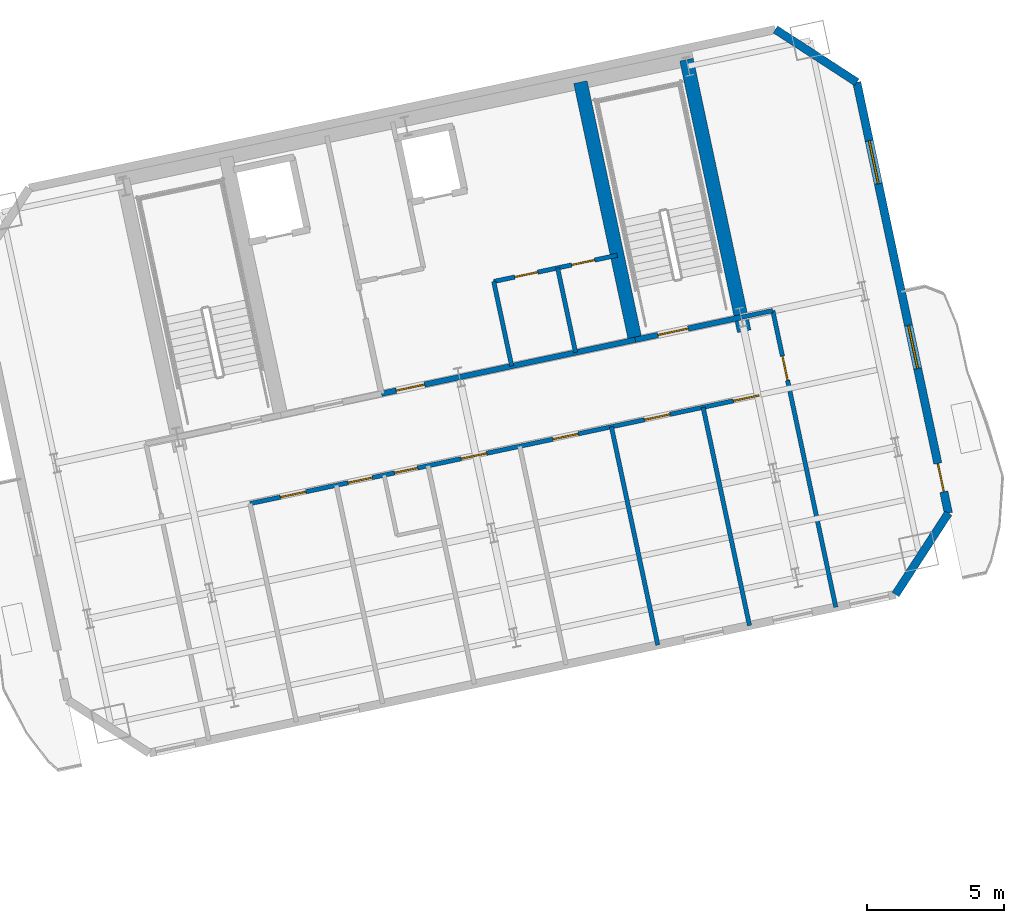
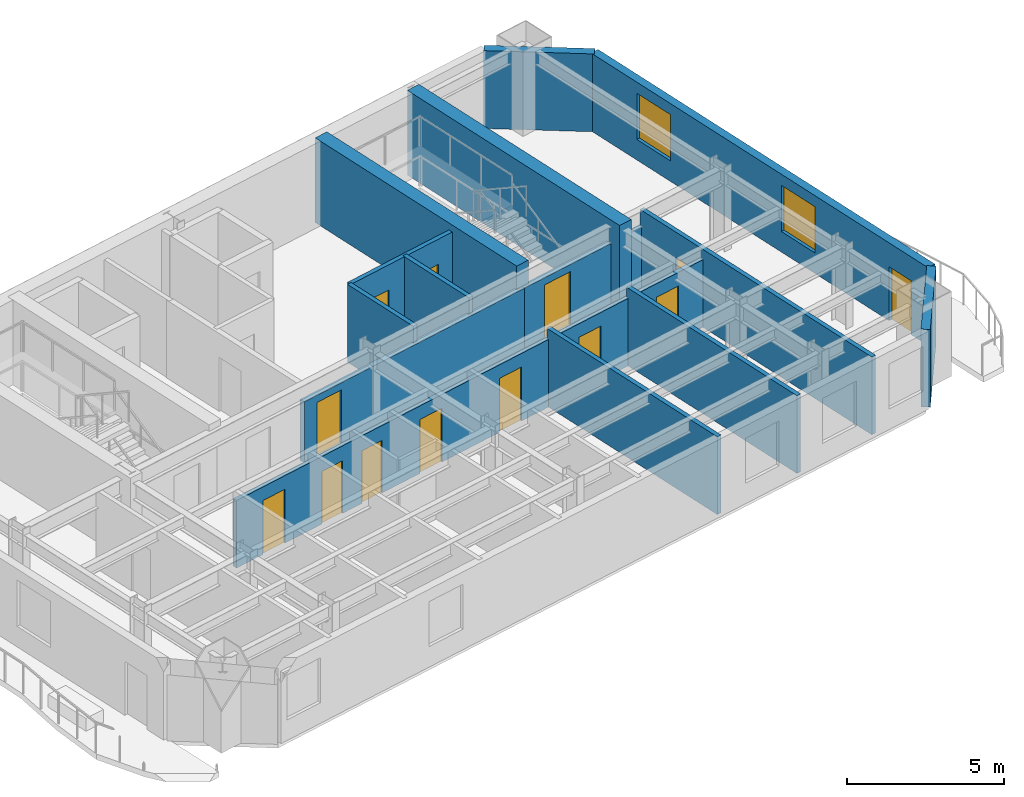
# One storey, part 8 of 13: 15 walls, 13 doors, 2 windows, 15 openings.
"""IFC4 building model written with IfcOpenShell, lengths in metres."""

from ifc_helpers import new_model, si_unit, direction, frame, frame_2d, origin, place, context, subcontext, project, spatial, rectangle, extrude, material, layer, layer_set, type_object, element, fill, save


model = new_model("IFC4")

# Units and contexts
model_context = context("Model", 3, precision=1e-05, world=origin(), true_north=direction((0.0, 1.0)))
body_context = subcontext(model_context, "Body", "Model", "MODEL_VIEW")
ifc_project = project(units=[si_unit("LENGTHUNIT", "METRE"), si_unit("AREAUNIT", "SQUARE_METRE"), si_unit("VOLUMEUNIT", "CUBIC_METRE"), si_unit("PLANEANGLEUNIT", "RADIAN"), si_unit("MASSUNIT", "GRAM", prefix="KILO")], contexts=[model_context])

# Site, building, storey
site_placement = place(None, origin())
site = spatial("IfcSite", under=ifc_project, at=site_placement, CompositionType="ELEMENT")
building_placement = place(site_placement, origin())
building = spatial("IfcBuilding", under=site, at=building_placement, Name="Haevon Station Towers", CompositionType="ELEMENT")
storey_placement = place(building_placement, frame((0.0, 0.0, 142.800048828125)))
storey = spatial("IfcBuildingStorey", under=building, at=storey_placement, Name="L38", CompositionType="ELEMENT", Elevation=142.800048828125)

# Wall, opening, door
ifc_material_1 = material(Name="Gypsum board on steel stud", Category="steel")
ifc_layer_1 = layer(ifc_material_1, 0.199951171875)
ifc_layer_set_1 = layer_set([ifc_layer_1], Name="Gypsum board on steel stud")
wall_type_1 = type_object("IfcWallType", Name="WL-COR200", PredefinedType="PARTITIONING", material=ifc_layer_set_1)
wall_1_placement = place(storey_placement, frame((115.4296875, 40.9873046875, 0.0), z_axis=(0.0, 0.0, 1.0), x_axis=(0.978146596989, 0.207916413008, 0.0)))
wall_1 = element("IfcWall", 1, at=wall_1_placement, inside=storey, type_object=wall_type_1, Name="WL-ST-ST4-L38", PredefinedType="PARTITIONING", context=body_context, shape_type="SweptSolid", body=[
    extrude(rectangle(XDim=3.9501953125, YDim=0.199951171875, at=frame_2d((1.97509765625, 0.0))), origin(), (0.0, 0.0, 1.0), 2.3798828125),
])
opening_1_placement = place(wall_1_placement, frame((0.85009765625, 0.0, 0.0)))
opening_1 = element("IfcOpeningElement", 2, at=opening_1_placement, cuts=wall_1, Name="Opening DR-ST-ST4-L38", PredefinedType="OPENING", context=body_context, shape_type="SweptSolid", body=[
    extrude(rectangle(XDim=1.1201171875, YDim=2.10009765625, at=frame_2d((0.56005859375, 1.050048828125))), frame((0.0, 0.10986328125, 0.0), z_axis=(0.0, -1.0, 0.0), x_axis=(1.0, 0.0, 0.0)), (0.0, 0.0, 1.0), 0.219970703125),
])
ifc_material_2 = material(Name="Engineered oak timber", Category="wood")
door_type_1 = type_object("IfcDoorType", Name="DR-ST-1120", OperationType="NOTDEFINED", PredefinedType="DOOR", material=ifc_material_2)
door_1_placement = place(opening_1_placement, origin())
door_1 = element("IfcDoor", 3, at=door_1_placement, inside=storey, type_object=door_type_1, Name="L38 Escape Stair ST4 Fire Door", OperationType="SINGLE_SWING_RIGHT", OverallHeight=2.10009765625, OverallWidth=1.1201171875, PredefinedType="DOOR", context=body_context, shape_type="SweptSolid", body=[
    extrude(rectangle(XDim=1.1201171875, YDim=2.10009765625, at=frame_2d((0.56005859375, 1.050048828125))), frame((0.0, 0.02490234375, 0.0), z_axis=(0.0, -1.0, 0.0), x_axis=(1.0, 0.0, 0.0)), (0.0, 0.0, 1.0), 0.050048828125),
])
fill(opening_1, door_1)

wall_2_placement = place(storey_placement, frame((106.186279296875, 39.0224609375, 0.0), z_axis=(0.0, 0.0, 1.0), x_axis=(0.978145519981, 0.20792147975, 0.0)))
wall_2 = element("IfcWall", 4, at=wall_2_placement, inside=storey, type_object=wall_type_1, Name="WL-T2CLB-L38", PredefinedType="PARTITIONING", context=body_context, shape_type="SweptSolid", body=[
    extrude(rectangle(XDim=9.449951171875, YDim=0.199951171875, at=frame_2d((4.72509765625, 0.0))), origin(), (0.0, 0.0, 1.0), 2.3798828125),
])
opening_2_placement = place(wall_2_placement, frame((0.550048828125, 0.0, 0.0)))
opening_2 = element("IfcOpeningElement", 5, at=opening_2_placement, cuts=wall_2, Name="Opening DR-T2CLB-L38-1", PredefinedType="OPENING", context=body_context, shape_type="SweptSolid", body=[
    extrude(rectangle(XDim=1.050048828125, YDim=2.10009765625, at=frame_2d((0.52490234375, 1.050048828125))), frame((0.0, 0.10986328125, 0.0), z_axis=(0.0, -1.0, 0.0), x_axis=(1.0, 0.0, 0.0)), (0.0, 0.0, 1.0), 0.219970703125),
])
door_type_2 = type_object("IfcDoorType", Name="DR-FD60-1050", OperationType="NOTDEFINED", PredefinedType="DOOR", material=ifc_material_2)
door_2_placement = place(opening_2_placement, origin())
door_2 = element("IfcDoor", 6, at=door_2_placement, inside=storey, type_object=door_type_2, Name="L38 Tower 2 Core Lift Lobby Door 1", OperationType="SINGLE_SWING_LEFT", OverallHeight=2.10009765625, OverallWidth=1.050048828125, PredefinedType="DOOR", context=body_context, shape_type="SweptSolid", body=[
    extrude(rectangle(XDim=1.050048828125, YDim=2.10009765625, at=frame_2d((0.52490234375, 1.050048828125))), frame((0.0, 0.02490234375, 0.0), z_axis=(0.0, -1.0, 0.0), x_axis=(1.0, 0.0, 0.0)), (0.0, 0.0, 1.0), 0.050048828125),
])
fill(opening_2, door_2)

# Walls
ifc_material_3 = material(Name="Concrete C60/75", Category="concrete")
ifc_layer_2 = layer(ifc_material_3, 0.5)
ifc_layer_set_2 = layer_set([ifc_layer_2], Name="Concrete C60/75")
wall_type_2 = type_object("IfcWallType", Name="WL-CR500", PredefinedType="SHEAR", material=ifc_layer_set_2)
wall_3_placement = place(storey_placement, frame((119.401611328125, 41.2998046875, 0.0), z_axis=(0.0, 0.0, 1.0), x_axis=(-0.207904342798, 0.978149162575, 0.0)))
element("IfcWall", 7, at=wall_3_placement, inside=storey, type_object=wall_type_2, Name="WL-T2CR-L38-E", PredefinedType="SHEAR", context=body_context, shape_type="SweptSolid", body=[
    extrude(rectangle(XDim=10.1201171875, YDim=0.5, at=frame_2d((5.06005859375, 0.0))), origin(), (0.0, 0.0, 1.0), 3.300048828125),
])
wall_4_placement = place(storey_placement, frame((115.4296875, 40.9873046875, 0.0), z_axis=(0.0, 0.0, 1.0), x_axis=(-0.207903162969, 0.978149413345, 0.0)))
element("IfcWall", 8, at=wall_4_placement, inside=storey, type_object=wall_type_2, Name="WL-T2CR-L38-M2", PredefinedType="SHEAR", context=body_context, shape_type="SweptSolid", body=[
    extrude(rectangle(XDim=9.599853515625, YDim=0.5, at=frame_2d((4.7998046875, 0.0))), origin(), (0.0, 0.0, 1.0), 3.300048828125),
])
ifc_material_4 = material(Name="Precast concrete C45/55", Category="concrete")
ifc_layer_3 = layer(ifc_material_4, 0.300048828125)
ifc_layer_set_3 = layer_set([ifc_layer_3], Name="Precast concrete C45/55")
wall_type_3 = type_object("IfcWallType", Name="WL-EXT-PIER300", PredefinedType="SOLIDWALL", material=ifc_layer_set_3)
wall_5_placement = place(storey_placement, frame((120.5400390625, 52.296875, 0.0), z_axis=(0.0, 0.0, 1.0), x_axis=(0.838672309694, -0.544636352948, 0.0)))
element("IfcWall", 9, at=wall_5_placement, inside=storey, type_object=wall_type_3, Name="WL-T2-L38-NEC", PredefinedType="SOLIDWALL", context=body_context, shape_type="SweptSolid", body=[
    extrude(rectangle(XDim=3.535400390625, YDim=0.300048828125, at=frame_2d((1.767578125, 0.0))), origin(), (0.0, 0.0, 1.0), 3.030029296875),
])

# Wall, openings, door, windows
wall_6_placement = place(storey_placement, frame((123.505126953125, 50.371337890625, 0.0), z_axis=(0.0, 0.0, 1.0), x_axis=(0.207922793235, -0.978145240776, 0.0)))
wall_6 = element("IfcWall", 10, at=wall_6_placement, inside=storey, type_object=wall_type_3, Name="WL-T2-L38-E", PredefinedType="SOLIDWALL", context=body_context, shape_type="SweptSolid", body=[
    extrude(rectangle(XDim=16.050048828125, YDim=0.300048828125, at=frame_2d((8.02490234375, 0.0))), origin(), (0.0, 0.0, 1.0), 3.030029296875),
])
opening_3_placement = place(wall_6_placement, frame((14.199951171875, 0.0, 0.0)))
opening_3 = element("IfcOpeningElement", 11, at=opening_3_placement, cuts=wall_6, Name="Opening DR-T2-SCAL-L38-E", PredefinedType="OPENING", context=body_context, shape_type="SweptSolid", body=[
    extrude(rectangle(XDim=1.050048828125, YDim=2.10009765625, at=frame_2d((0.52490234375, 1.050048828125))), frame((0.0, 0.159912109375, 0.0), z_axis=(0.0, -1.0, 0.0), x_axis=(1.0, 0.0, 0.0)), (0.0, 0.0, 1.0), 0.320068359375),
])
opening_4_placement = place(wall_6_placement, frame((2.1767578125, 0.0, 0.800048828125)))
opening_4 = element("IfcOpeningElement", 12, at=opening_4_placement, cuts=wall_6, Name="Opening WN-END160", PredefinedType="OPENING", context=body_context, shape_type="SweptSolid", body=[
    extrude(rectangle(XDim=1.60009765625, YDim=1.800048828125, at=frame_2d((0.800048828125, 0.89990234375))), frame((0.0, 0.159912109375, 0.0), z_axis=(0.0, -1.0, 0.0), x_axis=(1.0, 0.0, 0.0)), (0.0, 0.0, 1.0), 0.320068359375),
])
opening_5_placement = place(wall_6_placement, frame((9.060791015625, 0.0, 0.800048828125)))
opening_5 = element("IfcOpeningElement", 13, at=opening_5_placement, cuts=wall_6, Name="Opening WN-END160", PredefinedType="OPENING", context=body_context, shape_type="SweptSolid", body=[
    extrude(rectangle(XDim=1.60009765625, YDim=1.800048828125, at=frame_2d((0.800048828125, 0.89990234375))), frame((0.0, 0.159912109375, 0.0), z_axis=(0.0, -1.0, 0.0), x_axis=(1.0, 0.0, 0.0)), (0.0, 0.0, 1.0), 0.320068359375),
])
ifc_material_5 = material(Name="Thermally broken anodised aluminium and laminated safety glass", Category="aluminium")
door_type_3 = type_object("IfcDoorType", Name="DR-BALC-1050", OperationType="NOTDEFINED", PredefinedType="DOOR", material=ifc_material_5)
door_3_placement = place(opening_3_placement, origin())
door_3 = element("IfcDoor", 14, at=door_3_placement, inside=storey, type_object=door_type_3, Name="Tower 2 L38 East Scalloped Balcony Door", OperationType="SINGLE_SWING_LEFT", OverallHeight=2.10009765625, OverallWidth=1.050048828125, PredefinedType="DOOR", context=body_context, shape_type="SweptSolid", body=[
    extrude(rectangle(XDim=1.050048828125, YDim=2.10009765625, at=frame_2d((0.52490234375, 1.050048828125))), frame((0.0, 0.02490234375, 0.0), z_axis=(0.0, -1.0, 0.0), x_axis=(1.0, 0.0, 0.0)), (0.0, 0.0, 1.0), 0.050048828125),
])
fill(opening_3, door_3)
ifc_material_6 = material(Name="Low-E triple glazing in thermally broken aluminium", Category="aluminium")
window_type = type_object("IfcWindowType", Name="WN-END160", PartitioningType="SINGLE_PANEL", PredefinedType="WINDOW", material=ifc_material_6)
window_1_placement = place(opening_4_placement, origin())
window_1 = element("IfcWindow", 15, at=window_1_placement, inside=storey, type_object=window_type, Name="WN-T2-L38-E01", OverallHeight=1.800048828125, OverallWidth=1.60009765625, PartitioningType="SINGLE_PANEL", PredefinedType="WINDOW", context=body_context, shape_type="SweptSolid", body=[
    extrude(rectangle(XDim=1.60009765625, YDim=1.800048828125, at=frame_2d((0.800048828125, 0.89990234375))), frame((0.0, 0.030029296875, 0.0), z_axis=(0.0, -1.0, 0.0), x_axis=(1.0, 0.0, 0.0)), (0.0, 0.0, 1.0), 0.06005859375),
])
fill(opening_4, window_1)
window_2_placement = place(opening_5_placement, origin())
window_2 = element("IfcWindow", 16, at=window_2_placement, inside=storey, type_object=window_type, Name="WN-T2-L38-E02", OverallHeight=1.800048828125, OverallWidth=1.60009765625, PartitioningType="SINGLE_PANEL", PredefinedType="WINDOW", context=body_context, shape_type="SweptSolid", body=[
    extrude(rectangle(XDim=1.60009765625, YDim=1.800048828125, at=frame_2d((0.800048828125, 0.89990234375))), frame((0.0, 0.030029296875, 0.0), z_axis=(0.0, -1.0, 0.0), x_axis=(1.0, 0.0, 0.0)), (0.0, 0.0, 1.0), 0.06005859375),
])
fill(opening_5, window_2)

# Walls
wall_7_placement = place(storey_placement, frame((126.84228515625, 34.672119140625, 0.0), z_axis=(0.0, 0.0, 1.0), x_axis=(-0.544684921471, -0.838640767148, 0.0)))
element("IfcWall", 17, at=wall_7_placement, inside=storey, type_object=wall_type_3, Name="WL-T2-L38-SEC", PredefinedType="SOLIDWALL", context=body_context, shape_type="SweptSolid", body=[
    extrude(rectangle(XDim=3.53564453125, YDim=0.300048828125, at=frame_2d((1.767822265625, 0.0))), origin(), (0.0, 0.0, 1.0), 3.030029296875),
])
ifc_layer_4 = layer(ifc_material_1, 0.159912109375)
ifc_layer_set_4 = layer_set([ifc_layer_4], Name="Gypsum board on steel stud")
wall_type_4 = type_object("IfcWallType", Name="WL-PRT160", PredefinedType="PARTITIONING", material=ifc_layer_set_4)
wall_8_placement = place(storey_placement, frame((110.93017578125, 40.031005859375, 0.0), z_axis=(0.0, 0.0, 1.0), x_axis=(-0.207877295669, 0.978154911016, 0.0)))
element("IfcWall", 18, at=wall_8_placement, inside=storey, type_object=wall_type_4, Name="WL-T2CW-L38-05", PredefinedType="PARTITIONING", context=body_context, shape_type="SweptSolid", body=[
    extrude(rectangle(XDim=3.14990234375, YDim=0.159912109375, at=frame_2d((1.574951171875, 0.0))), origin(), (0.0, 0.0, 1.0), 3.030029296875),
])
wall_9_placement = place(storey_placement, frame((113.25830078125, 40.525634765625, 0.0), z_axis=(0.0, 0.0, 1.0), x_axis=(-0.207935688634, 0.978142499533, 0.0)))
element("IfcWall", 19, at=wall_9_placement, inside=storey, type_object=wall_type_4, Name="WL-T2CW-L38-06", PredefinedType="PARTITIONING", context=body_context, shape_type="SweptSolid", body=[
    extrude(rectangle(XDim=3.150146484375, YDim=0.159912109375, at=frame_2d((1.5751953125, 0.0))), origin(), (0.0, 0.0, 1.0), 3.030029296875),
])

# Wall, openings, doors
wall_10_placement = place(storey_placement, frame((110.275390625, 43.112060546875, 0.0), z_axis=(0.0, 0.0, 1.0), x_axis=(0.978152106073, 0.207890493732, 0.0)))
wall_10 = element("IfcWall", 20, at=wall_10_placement, inside=storey, type_object=wall_type_4, Name="WL-T2CW-L38-07", PredefinedType="PARTITIONING", context=body_context, shape_type="SweptSolid", body=[
    extrude(rectangle(XDim=4.60009765625, YDim=0.159912109375, at=frame_2d((2.300048828125, 0.0))), origin(), (0.0, 0.0, 1.0), 3.030029296875),
])
opening_6_placement = place(wall_10_placement, frame((0.784912109375, 0.0, 0.0)))
opening_6 = element("IfcOpeningElement", 21, at=opening_6_placement, cuts=wall_10, Name="Opening DR-WL-T2CW-L38-07-1", PredefinedType="OPENING", context=body_context, shape_type="SweptSolid", body=[
    extrude(rectangle(XDim=0.85009765625, YDim=2.050048828125, at=frame_2d((0.425048828125, 1.02490234375))), frame((0.0, 0.08984375, 0.0), z_axis=(0.0, -1.0, 0.0), x_axis=(1.0, 0.0, 0.0)), (0.0, 0.0, 1.0), 0.179931640625),
])
opening_7_placement = place(wall_10_placement, frame((2.905029296875, 0.0, 0.0)))
opening_7 = element("IfcOpeningElement", 22, at=opening_7_placement, cuts=wall_10, Name="Opening DR-WL-T2CW-L38-07-2", PredefinedType="OPENING", context=body_context, shape_type="SweptSolid", body=[
    extrude(rectangle(XDim=0.85009765625, YDim=2.050048828125, at=frame_2d((0.425048828125, 1.02490234375))), frame((0.0, 0.08984375, 0.0), z_axis=(0.0, -1.0, 0.0), x_axis=(1.0, 0.0, 0.0)), (0.0, 0.0, 1.0), 0.179931640625),
])
door_type_4 = type_object("IfcDoorType", Name="DR-FD30-850", OperationType="NOTDEFINED", PredefinedType="DOOR", material=ifc_material_2)
door_4_placement = place(opening_6_placement, origin())
door_4 = element("IfcDoor", 23, at=door_4_placement, inside=storey, type_object=door_type_4, Name="L38 Tower 2 Core Room Door 7-1", OperationType="SINGLE_SWING_RIGHT", OverallHeight=2.050048828125, OverallWidth=0.85009765625, PredefinedType="DOOR", context=body_context, shape_type="SweptSolid", body=[
    extrude(rectangle(XDim=0.85009765625, YDim=2.050048828125, at=frame_2d((0.425048828125, 1.02490234375))), frame((0.0, 0.02490234375, 0.0), z_axis=(0.0, -1.0, 0.0), x_axis=(1.0, 0.0, 0.0)), (0.0, 0.0, 1.0), 0.050048828125),
])
fill(opening_6, door_4)
door_5_placement = place(opening_7_placement, origin())
door_5 = element("IfcDoor", 24, at=door_5_placement, inside=storey, type_object=door_type_4, Name="L38 Tower 2 Core Room Door 7-2", OperationType="SINGLE_SWING_LEFT", OverallHeight=2.050048828125, OverallWidth=0.85009765625, PredefinedType="DOOR", context=body_context, shape_type="SweptSolid", body=[
    extrude(rectangle(XDim=0.85009765625, YDim=2.050048828125, at=frame_2d((0.425048828125, 1.02490234375))), frame((0.0, 0.02490234375, 0.0), z_axis=(0.0, -1.0, 0.0), x_axis=(1.0, 0.0, 0.0)), (0.0, 0.0, 1.0), 0.050048828125),
])
fill(opening_7, door_5)

# Wall
wall_11_placement = place(storey_placement, frame((119.29345703125, 41.80859375, 0.0), z_axis=(0.0, 0.0, 1.0), x_axis=(0.978177856367, 0.207769298294, 0.0)))
element("IfcWall", 25, at=wall_11_placement, inside=storey, type_object=wall_type_4, Name="WL-T2PT-L38-03", PredefinedType="PARTITIONING", context=body_context, shape_type="SweptSolid", body=[
    extrude(rectangle(XDim=1.175048828125, YDim=0.159912109375, at=frame_2d((0.58740234375, 0.0))), origin(), (0.0, 0.0, 1.0), 2.3798828125),
])

# Wall, opening, door
wall_12_placement = place(storey_placement, frame((122.740234375, 31.244384765625, 0.0), z_axis=(0.0, 0.0, 1.0), x_axis=(-0.207909755675, 0.978148012059, 0.0)))
wall_12 = element("IfcWall", 26, at=wall_12_placement, inside=storey, type_object=wall_type_4, Name="WL-T2PT-L38-05", PredefinedType="PARTITIONING", context=body_context, shape_type="SweptSolid", body=[
    extrude(rectangle(XDim=11.0498046875, YDim=0.159912109375, at=frame_2d((5.52490234375, 0.0))), origin(), (0.0, 0.0, 1.0), 3.030029296875),
])
opening_8_placement = place(wall_12_placement, frame((8.449951171875, 0.0, 0.0)))
opening_8 = element("IfcOpeningElement", 27, at=opening_8_placement, cuts=wall_12, Name="Opening DR-WL-T2PT-L38-05-01", PredefinedType="OPENING", context=body_context, shape_type="SweptSolid", body=[
    extrude(rectangle(XDim=0.89990234375, YDim=2.050048828125, at=frame_2d((0.449951171875, 1.02490234375))), frame((0.0, 0.08984375, 0.0), z_axis=(0.0, -1.0, 0.0), x_axis=(1.0, 0.0, 0.0)), (0.0, 0.0, 1.0), 0.179931640625),
])
door_type_5 = type_object("IfcDoorType", Name="DR-INT-900", OperationType="NOTDEFINED", PredefinedType="DOOR", material=ifc_material_2)
door_6_placement = place(opening_8_placement, origin())
door_6 = element("IfcDoor", 28, at=door_6_placement, inside=storey, type_object=door_type_5, Name="L38 Tower 2 Room Door 5-1", OperationType="SINGLE_SWING_LEFT", OverallHeight=2.050048828125, OverallWidth=0.89990234375, PredefinedType="DOOR", context=body_context, shape_type="SweptSolid", body=[
    extrude(rectangle(XDim=0.89990234375, YDim=2.050048828125, at=frame_2d((0.449951171875, 1.02490234375))), frame((0.0, 0.02490234375, 0.0), z_axis=(0.0, -1.0, 0.0), x_axis=(1.0, 0.0, 0.0)), (0.0, 0.0, 1.0), 0.050048828125),
])
fill(opening_8, door_6)

# Walls
wall_13_placement = place(storey_placement, frame((116.253662109375, 29.865478515625, 0.0), z_axis=(0.0, 0.0, 1.0), x_axis=(-0.207894311631, 0.978151294633, 0.0)))
element("IfcWall", 29, at=wall_13_placement, inside=storey, type_object=wall_type_4, Name="WL-T2PT-L38-11", PredefinedType="PARTITIONING", context=body_context, shape_type="SweptSolid", body=[
    extrude(rectangle(XDim=8.130126953125, YDim=0.159912109375, at=frame_2d((4.06494140625, 0.0))), origin(), (0.0, 0.0, 1.0), 3.030029296875),
])
wall_14_placement = place(storey_placement, frame((119.59521484375, 30.575927734375, 0.0), z_axis=(0.0, 0.0, 1.0), x_axis=(-0.20790041837, 0.978149996699, 0.0)))
element("IfcWall", 30, at=wall_14_placement, inside=storey, type_object=wall_type_4, Name="WL-T2PT-L38-12", PredefinedType="PARTITIONING", context=body_context, shape_type="SweptSolid", body=[
    extrude(rectangle(XDim=8.1298828125, YDim=0.159912109375, at=frame_2d((4.06494140625, 0.0))), origin(), (0.0, 0.0, 1.0), 3.030029296875),
])

# Wall, openings, doors
wall_15_placement = place(storey_placement, frame((101.39404296875, 35.0185546875, 0.0), z_axis=(0.0, 0.0, 1.0), x_axis=(0.97814495389, 0.20792414285, 0.0)))
wall_15 = element("IfcWall", 31, at=wall_15_placement, inside=storey, type_object=wall_type_4, Name="WL-T2PT-L38-13", PredefinedType="PARTITIONING", context=body_context, shape_type="SweptSolid", body=[
    extrude(rectangle(XDim=20.094970703125, YDim=0.159912109375, at=frame_2d((10.04736328125, 0.0))), origin(), (0.0, 0.0, 1.0), 2.6298828125),
])
opening_9_placement = place(wall_15_placement, frame((1.133056640625, 0.0, 0.0)))
opening_9 = element("IfcOpeningElement", 32, at=opening_9_placement, cuts=wall_15, Name="Opening DR-WL-T2PT-L38-13-01", PredefinedType="OPENING", context=body_context, shape_type="SweptSolid", body=[
    extrude(rectangle(XDim=0.949951171875, YDim=2.10009765625, at=frame_2d((0.47509765625, 1.050048828125))), frame((0.0, 0.08984375, 0.0), z_axis=(0.0, -1.0, 0.0), x_axis=(1.0, 0.0, 0.0)), (0.0, 0.0, 1.0), 0.179931640625),
])
opening_10_placement = place(wall_15_placement, frame((5.387939453125, 0.0, 0.0)))
opening_10 = element("IfcOpeningElement", 33, at=opening_10_placement, cuts=wall_15, Name="Opening DR-WL-T2PT-L38-13-02", PredefinedType="OPENING", context=body_context, shape_type="SweptSolid", body=[
    extrude(rectangle(XDim=0.85009765625, YDim=2.050048828125, at=frame_2d((0.425048828125, 1.02490234375))), frame((0.0, 0.08984375, 0.0), z_axis=(0.0, -1.0, 0.0), x_axis=(1.0, 0.0, 0.0)), (0.0, 0.0, 1.0), 0.179931640625),
])
opening_11_placement = place(wall_15_placement, frame((3.655029296875, 0.0, 0.0)))
opening_11 = element("IfcOpeningElement", 34, at=opening_11_placement, cuts=wall_15, Name="Opening DR-WL-T2PT-L38-13-03", PredefinedType="OPENING", context=body_context, shape_type="SweptSolid", body=[
    extrude(rectangle(XDim=0.89990234375, YDim=2.050048828125, at=frame_2d((0.449951171875, 1.02490234375))), frame((0.0, 0.08984375, 0.0), z_axis=(0.0, -1.0, 0.0), x_axis=(1.0, 0.0, 0.0)), (0.0, 0.0, 1.0), 0.179931640625),
])
opening_12_placement = place(wall_15_placement, frame((7.864013671875, 0.0, 0.0)))
opening_12 = element("IfcOpeningElement", 35, at=opening_12_placement, cuts=wall_15, Name="Opening DR-WL-T2PT-L38-13-04", PredefinedType="OPENING", context=body_context, shape_type="SweptSolid", body=[
    extrude(rectangle(XDim=0.949951171875, YDim=2.10009765625, at=frame_2d((0.47509765625, 1.050048828125))), frame((0.0, 0.08984375, 0.0), z_axis=(0.0, -1.0, 0.0), x_axis=(1.0, 0.0, 0.0)), (0.0, 0.0, 1.0), 0.179931640625),
])
opening_13_placement = place(wall_15_placement, frame((11.281005859375, 0.0, 0.0)))
opening_13 = element("IfcOpeningElement", 36, at=opening_13_placement, cuts=wall_15, Name="Opening DR-WL-T2PT-L38-13-05", PredefinedType="OPENING", context=body_context, shape_type="SweptSolid", body=[
    extrude(rectangle(XDim=0.949951171875, YDim=2.10009765625, at=frame_2d((0.47509765625, 1.050048828125))), frame((0.0, 0.08984375, 0.0), z_axis=(0.0, -1.0, 0.0), x_axis=(1.0, 0.0, 0.0)), (0.0, 0.0, 1.0), 0.179931640625),
])
opening_14_placement = place(wall_15_placement, frame((14.697021484375, 0.0, 0.0)))
opening_14 = element("IfcOpeningElement", 37, at=opening_14_placement, cuts=wall_15, Name="Opening DR-WL-T2PT-L38-13-06", PredefinedType="OPENING", context=body_context, shape_type="SweptSolid", body=[
    extrude(rectangle(XDim=0.949951171875, YDim=2.10009765625, at=frame_2d((0.47509765625, 1.050048828125))), frame((0.0, 0.08984375, 0.0), z_axis=(0.0, -1.0, 0.0), x_axis=(1.0, 0.0, 0.0)), (0.0, 0.0, 1.0), 0.179931640625),
])
opening_15_placement = place(wall_15_placement, frame((18.011962890625, 0.0, 0.0)))
opening_15 = element("IfcOpeningElement", 38, at=opening_15_placement, cuts=wall_15, Name="Opening DR-WL-T2PT-L38-13-07", PredefinedType="OPENING", context=body_context, shape_type="SweptSolid", body=[
    extrude(rectangle(XDim=0.949951171875, YDim=2.10009765625, at=frame_2d((0.47509765625, 1.050048828125))), frame((0.0, 0.08984375, 0.0), z_axis=(0.0, -1.0, 0.0), x_axis=(1.0, 0.0, 0.0)), (0.0, 0.0, 1.0), 0.179931640625),
])
door_7_placement = place(opening_10_placement, origin())
door_7 = element("IfcDoor", 39, at=door_7_placement, inside=storey, type_object=door_type_4, Name="L38 Tower 2 Room Door 13-2", OperationType="SINGLE_SWING_LEFT", OverallHeight=2.050048828125, OverallWidth=0.85009765625, PredefinedType="DOOR", context=body_context, shape_type="SweptSolid", body=[
    extrude(rectangle(XDim=0.85009765625, YDim=2.050048828125, at=frame_2d((0.425048828125, 1.02490234375))), frame((0.0, 0.02490234375, 0.0), z_axis=(0.0, -1.0, 0.0), x_axis=(1.0, 0.0, 0.0)), (0.0, 0.0, 1.0), 0.050048828125),
])
fill(opening_10, door_7)
door_type_6 = type_object("IfcDoorType", Name="DR-FD30-950", OperationType="NOTDEFINED", PredefinedType="DOOR", material=ifc_material_2)
door_8_placement = place(opening_9_placement, origin())
door_8 = element("IfcDoor", 40, at=door_8_placement, inside=storey, type_object=door_type_6, Name="L38 Tower 2 Room Door 13-1", OperationType="SINGLE_SWING_RIGHT", OverallHeight=2.10009765625, OverallWidth=0.949951171875, PredefinedType="DOOR", context=body_context, shape_type="SweptSolid", body=[
    extrude(rectangle(XDim=0.949951171875, YDim=2.10009765625, at=frame_2d((0.47509765625, 1.050048828125))), frame((0.0, 0.02490234375, 0.0), z_axis=(0.0, -1.0, 0.0), x_axis=(1.0, 0.0, 0.0)), (0.0, 0.0, 1.0), 0.050048828125),
])
fill(opening_9, door_8)
door_9_placement = place(opening_12_placement, origin())
door_9 = element("IfcDoor", 41, at=door_9_placement, inside=storey, type_object=door_type_6, Name="L38 Tower 2 Room Door 13-4", OperationType="SINGLE_SWING_LEFT", OverallHeight=2.10009765625, OverallWidth=0.949951171875, PredefinedType="DOOR", context=body_context, shape_type="SweptSolid", body=[
    extrude(rectangle(XDim=0.949951171875, YDim=2.10009765625, at=frame_2d((0.47509765625, 1.050048828125))), frame((0.0, 0.02490234375, 0.0), z_axis=(0.0, -1.0, 0.0), x_axis=(1.0, 0.0, 0.0)), (0.0, 0.0, 1.0), 0.050048828125),
])
fill(opening_12, door_9)
door_10_placement = place(opening_13_placement, origin())
door_10 = element("IfcDoor", 42, at=door_10_placement, inside=storey, type_object=door_type_6, Name="L38 Tower 2 Room Door 13-5", OperationType="SINGLE_SWING_RIGHT", OverallHeight=2.10009765625, OverallWidth=0.949951171875, PredefinedType="DOOR", context=body_context, shape_type="SweptSolid", body=[
    extrude(rectangle(XDim=0.949951171875, YDim=2.10009765625, at=frame_2d((0.47509765625, 1.050048828125))), frame((0.0, 0.02490234375, 0.0), z_axis=(0.0, -1.0, 0.0), x_axis=(1.0, 0.0, 0.0)), (0.0, 0.0, 1.0), 0.050048828125),
])
fill(opening_13, door_10)
door_11_placement = place(opening_14_placement, origin())
door_11 = element("IfcDoor", 43, at=door_11_placement, inside=storey, type_object=door_type_6, Name="L38 Tower 2 Room Door 13-6", OperationType="SINGLE_SWING_LEFT", OverallHeight=2.10009765625, OverallWidth=0.949951171875, PredefinedType="DOOR", context=body_context, shape_type="SweptSolid", body=[
    extrude(rectangle(XDim=0.949951171875, YDim=2.10009765625, at=frame_2d((0.47509765625, 1.050048828125))), frame((0.0, 0.02490234375, 0.0), z_axis=(0.0, -1.0, 0.0), x_axis=(1.0, 0.0, 0.0)), (0.0, 0.0, 1.0), 0.050048828125),
])
fill(opening_14, door_11)
door_12_placement = place(opening_15_placement, origin())
door_12 = element("IfcDoor", 44, at=door_12_placement, inside=storey, type_object=door_type_6, Name="L38 Tower 2 Room Door 13-7", OperationType="SINGLE_SWING_RIGHT", OverallHeight=2.10009765625, OverallWidth=0.949951171875, PredefinedType="DOOR", context=body_context, shape_type="SweptSolid", body=[
    extrude(rectangle(XDim=0.949951171875, YDim=2.10009765625, at=frame_2d((0.47509765625, 1.050048828125))), frame((0.0, 0.02490234375, 0.0), z_axis=(0.0, -1.0, 0.0), x_axis=(1.0, 0.0, 0.0)), (0.0, 0.0, 1.0), 0.050048828125),
])
fill(opening_15, door_12)
door_13_placement = place(opening_11_placement, origin())
door_13 = element("IfcDoor", 45, at=door_13_placement, inside=storey, type_object=door_type_5, Name="L38 Tower 2 Room Door 13-3", OperationType="SINGLE_SWING_RIGHT", OverallHeight=2.050048828125, OverallWidth=0.89990234375, PredefinedType="DOOR", context=body_context, shape_type="SweptSolid", body=[
    extrude(rectangle(XDim=0.89990234375, YDim=2.050048828125, at=frame_2d((0.449951171875, 1.02490234375))), frame((0.0, 0.02490234375, 0.0), z_axis=(0.0, -1.0, 0.0), x_axis=(1.0, 0.0, 0.0)), (0.0, 0.0, 1.0), 0.050048828125),
])
fill(opening_11, door_13)

save(model, "model.ifc")
